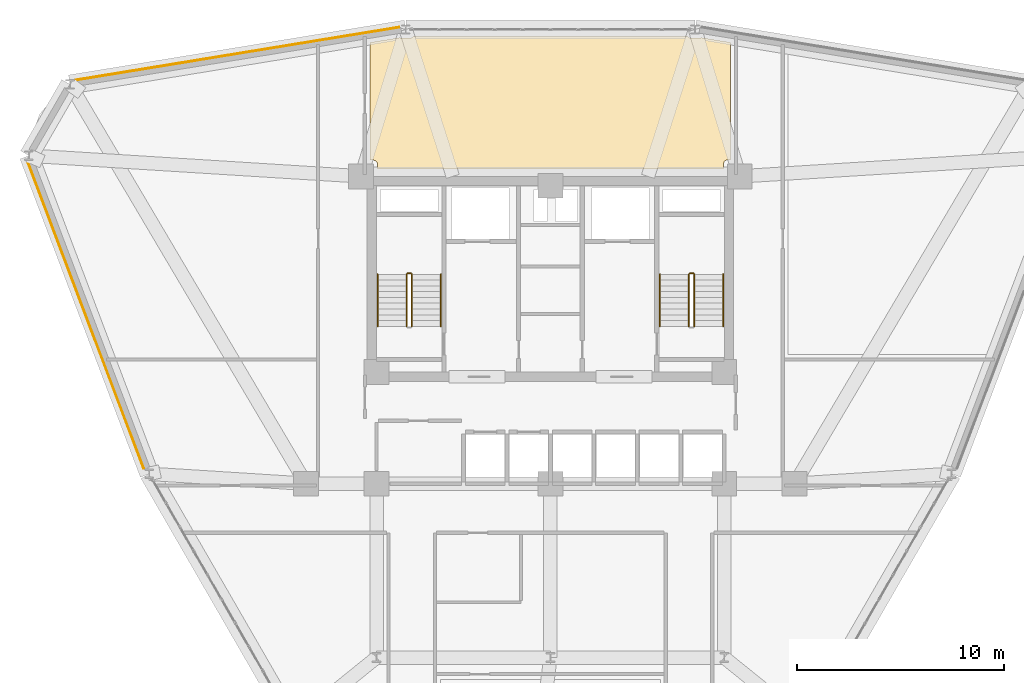
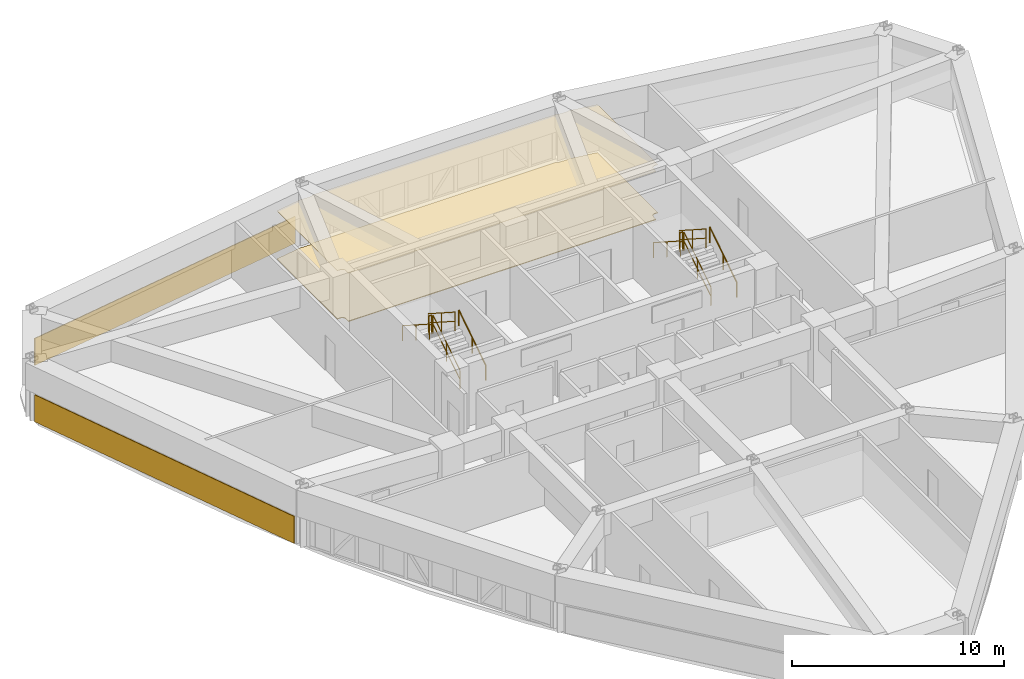
# One storey, part 14 of 15: 10 railings, 4 coverings.
"""IFC4 building model written with IfcOpenShell, lengths in metres."""

from ifc_helpers import new_model, si_unit, derived_unit, direction, frame, origin, origin_2d, place, context, subcontext, project, spatial, polyline, circle, outline, extrude, material, layer, layer_set, type_object, element, save


model = new_model("IFC4")

# Units and contexts
model_context = context("Model", 3, precision=1e-05, world=origin(), true_north=direction((0.0, 1.0)))
body_context = subcontext(model_context, "Body", "Model", "MODEL_VIEW")
ifc_project = project(units=[si_unit("LENGTHUNIT", "METRE"), si_unit("AREAUNIT", "SQUARE_METRE"), si_unit("VOLUMEUNIT", "CUBIC_METRE"), si_unit("PLANEANGLEUNIT", "RADIAN"), si_unit("MASSUNIT", "GRAM", prefix="KILO"), derived_unit("THERMALTRANSMITTANCEUNIT", [(si_unit("POWERUNIT", "WATT"), 1), (si_unit("LENGTHUNIT", "METRE"), -2), (si_unit("THERMODYNAMICTEMPERATUREUNIT", "KELVIN"), -1)])], contexts=[model_context])

# Site, building, storey
site_placement = place(None, origin())
site = spatial("IfcSite", under=ifc_project, at=site_placement, CompositionType="ELEMENT")
building_placement = place(site_placement, origin())
building = spatial("IfcBuilding", under=site, at=building_placement, Name="Korsvarv Bourse and Concert Hall", CompositionType="ELEMENT")
storey_placement = place(building_placement, frame((0.0, 0.0, 117.0)))
storey = spatial("IfcBuildingStorey", under=building, at=storey_placement, Name="L29", CompositionType="ELEMENT", Elevation=117.0)

# Coverings
ifc_material_1 = material(Name="Perforated mineral-wool and birch acoustic baffle ceiling", Category="wood")
ifc_layer_1 = layer(ifc_material_1, 0.02490234375)
ifc_layer_set_1 = layer_set([ifc_layer_1], Name="Perforated mineral-wool and birch acoustic baffle ceiling")
covering_type_1 = type_object("IfcCoveringType", Name="COV-CEIL-1", PredefinedType="CEILING", material=ifc_layer_set_1)
covering_1_placement = place(storey_placement, frame((0.0, 0.0, 2.780029296875)))
element("IfcCovering", 1, at=covering_1_placement, inside=storey, type_object=covering_type_1, Name="L29 acoustic baffle ceiling 3", PredefinedType="CEILING", context=body_context, shape_type="SweptSolid", body=[
    extrude(outline(polyline([(28.720458984375, 53.952392578125), (28.75439453125, 53.94140625), (28.788818359375, 53.93701171875), (29.216796875, 53.927001953125), (29.251708984375, 53.9296875), (29.28564453125, 53.939208984375), (29.317138671875, 53.954833984375), (29.3447265625, 53.976318359375), (29.367919921875, 54.0029296875), (42.62841796875, 54.004638671875), (42.653076171875, 53.9794921875), (42.681640625, 53.959716796875), (42.71337890625, 53.94580078125), (42.747314453125, 53.9384765625), (43.19287109375, 53.927001953125), (43.227294921875, 53.9296875), (43.2607421875, 53.938720703125), (43.28662109375, 53.951416015625), (44.7099609375, 53.71875), (44.7099609375, 48.0400390625), (44.550048828125, 48.0400390625), (44.515380859375, 48.03662109375), (44.482177734375, 48.026611328125), (44.451416015625, 48.010498046875), (44.42431640625, 47.98876953125), (44.40185546875, 47.962158203125), (44.385009765625, 47.931640625), (44.374267578125, 47.898681640625), (44.3701171875, 47.864013671875), (44.364013671875, 47.60009765625), (27.639892578125, 47.60009765625), (27.639892578125, 47.85009765625), (27.63671875, 47.884521484375), (27.626708984375, 47.917724609375), (27.610595703125, 47.948486328125), (27.589111328125, 47.975341796875), (27.562744140625, 47.997802734375), (27.532470703125, 48.014892578125), (27.49951171875, 48.025634765625), (27.465087890625, 48.02978515625), (27.2900390625, 48.034912109375), (27.2900390625, 53.71875), (28.720458984375, 53.952392578125)])), origin(), (0.0, 0.0, 1.0), 0.02490234375),
])
ifc_material_2 = material(Name="Warm iron-oxide extruded terracotta rainscreen tile", Category="ceramic")
ifc_layer_2 = layer(ifc_material_2, 0.044921875)
ifc_layer_set_2 = layer_set([ifc_layer_2], Name="Warm iron-oxide extruded terracotta rainscreen tile")
covering_type_2 = type_object("IfcCoveringType", Name="COV-CLD-TC", PredefinedType="CLADDING", material=ifc_layer_set_2)
covering_2_placement = place(storey_placement, origin())
element("IfcCovering", 2, at=covering_2_placement, inside=storey, type_object=covering_type_2, Name="L29 fluted terracotta cladding panel EW-L29-B04", PredefinedType="CLADDING", context=body_context, shape_type="SweptSolid", body=[
    extrude(outline(polyline([(28.697265625, 54.429931640625), (13.063720703125, 51.874755859375), (13.056396484375, 51.919189453125), (28.68994140625, 54.474365234375), (28.697265625, 54.429931640625)])), origin(), (0.0, 0.0, 1.0), 1.550048828125),
])
covering_3_placement = place(storey_placement, origin())
element("IfcCovering", 3, at=covering_3_placement, inside=storey, type_object=covering_type_2, Name="L29 fluted terracotta cladding panel EW-L29-B06", PredefinedType="CLADDING", context=body_context, shape_type="SweptSolid", body=[
    extrude(outline(polyline([(10.794921875, 47.896240234375), (16.376708984375, 33.13916015625), (16.33447265625, 33.123046875), (10.7529296875, 47.88037109375), (10.794921875, 47.896240234375)])), origin(), (0.0, 0.0, 1.0), 1.550048828125),
])
ifc_material_3 = material(Name="Calcium-sulphate raised access trading floor with Nordic oak top", Category="wood")
ifc_layer_3 = layer(ifc_material_3, 0.0400390625)
ifc_layer_set_3 = layer_set([ifc_layer_3], Name="Calcium-sulphate raised access trading floor with Nordic oak top")
covering_type_3 = type_object("IfcCoveringType", Name="COV-FLOR-1", PredefinedType="FLOORING", material=ifc_layer_set_3)
covering_4_placement = place(storey_placement, origin())
element("IfcCovering", 4, at=covering_4_placement, inside=storey, type_object=covering_type_3, Name="L29 raised access oak floor finish 3", PredefinedType="FLOORING", context=body_context, shape_type="SweptSolid", body=[
    extrude(outline(polyline([(28.720458984375, 53.952392578125), (28.75439453125, 53.94140625), (28.788818359375, 53.93701171875), (29.216796875, 53.927001953125), (29.251708984375, 53.9296875), (29.28564453125, 53.939208984375), (29.317138671875, 53.954833984375), (29.3447265625, 53.976318359375), (29.367919921875, 54.0029296875), (42.62841796875, 54.004638671875), (42.653076171875, 53.9794921875), (42.681640625, 53.959716796875), (42.71337890625, 53.94580078125), (42.747314453125, 53.9384765625), (43.19287109375, 53.927001953125), (43.227294921875, 53.9296875), (43.2607421875, 53.938720703125), (43.28662109375, 53.951416015625), (44.7099609375, 53.71875), (44.7099609375, 48.0400390625), (44.550048828125, 48.0400390625), (44.515380859375, 48.03662109375), (44.482177734375, 48.026611328125), (44.451416015625, 48.010498046875), (44.42431640625, 47.98876953125), (44.40185546875, 47.962158203125), (44.385009765625, 47.931640625), (44.374267578125, 47.898681640625), (44.3701171875, 47.864013671875), (44.364013671875, 47.60009765625), (27.639892578125, 47.60009765625), (27.639892578125, 47.85009765625), (27.63671875, 47.884521484375), (27.626708984375, 47.917724609375), (27.610595703125, 47.948486328125), (27.589111328125, 47.975341796875), (27.562744140625, 47.997802734375), (27.532470703125, 48.014892578125), (27.49951171875, 48.025634765625), (27.465087890625, 48.02978515625), (27.2900390625, 48.034912109375), (27.2900390625, 53.71875), (28.720458984375, 53.952392578125)])), origin(), (0.0, 0.0, 1.0), 0.0400390625),
])

# Railings
ifc_material_4 = material(Name="Painted Steel S355 stair well guardrail", Category="steel")
railing_type_1 = type_object("IfcRailingType", Name="RL-ST-GRD", PredefinedType="GUARDRAIL", material=ifc_material_4)
railing_1_placement = place(storey_placement, frame((29.31005859375, 40.0, 0.179931640625)))
element("IfcRailing", 5, at=railing_1_placement, inside=storey, type_object=railing_type_1, Name="L29 ST-T1 stair guard 1", PredefinedType="GUARDRAIL", context=body_context, shape_type="SweptSolid", body=[
    extrude(circle(Radius=0.02392578125, at=origin_2d()), frame((0.0, 0.0, 1.076171875), z_axis=(0.0, 0.841162588446, 0.540782303519), x_axis=(-1.0, 0.0, 0.0)), (0.0, 0.0, 1.0), 2.995849609375),
    extrude(circle(Radius=0.02392578125, at=origin_2d()), frame((0.0, 0.0, 0.550048828125), z_axis=(0.0, 0.841162588446, 0.540782303519), x_axis=(-1.0, 0.0, 0.0)), (0.0, 0.0, 1.0), 2.995849609375),
    extrude(circle(Radius=0.02099609375, at=origin_2d()), origin(), (0.0, 0.0, 1.0), 1.052001953125),
    extrude(circle(Radius=0.02099609375, at=origin_2d()), frame((0.0, 1.260009765625, 0.81005859375)), (0.0, 0.0, 1.0), 1.052001953125),
    extrude(circle(Radius=0.02099609375, at=origin_2d()), frame((0.0, 2.52001953125, 1.6201171875)), (0.0, 0.0, 1.0), 1.052001953125),
])
railing_2_placement = place(storey_placement, frame((29.260009765625, 42.570068359375, 1.800048828125)))
element("IfcRailing", 6, at=railing_2_placement, inside=storey, type_object=railing_type_1, Name="L29 ST-T1 stair guard 2", PredefinedType="GUARDRAIL", context=body_context, shape_type="SweptSolid", body=[
    extrude(circle(Radius=0.02392578125, at=origin_2d()), frame((0.0, 0.0, 1.076171875), z_axis=(-1.0, 0.0, 0.0), x_axis=(0.0, -1.0, 0.0)), (0.0, 0.0, 1.0), 0.159912109375),
    extrude(circle(Radius=0.02392578125, at=origin_2d()), frame((0.0, 0.0, 0.550048828125), z_axis=(-1.0, 0.0, 0.0), x_axis=(0.0, -1.0, 0.0)), (0.0, 0.0, 1.0), 0.159912109375),
    extrude(circle(Radius=0.02099609375, at=origin_2d()), origin(), (0.0, 0.0, 1.0), 1.052001953125),
    extrude(circle(Radius=0.02099609375, at=origin_2d()), frame((-0.159912109375, 0.0, 0.0)), (0.0, 0.0, 1.0), 1.052001953125),
])
railing_3_placement = place(storey_placement, frame((29.050048828125, 42.52001953125, 1.97998046875)))
element("IfcRailing", 7, at=railing_3_placement, inside=storey, type_object=railing_type_1, Name="L29 ST-T1 stair guard 3", PredefinedType="GUARDRAIL", context=body_context, shape_type="SweptSolid", body=[
    extrude(circle(Radius=0.02392578125, at=origin_2d()), frame((0.0, 0.0, 1.076171875), z_axis=(0.0, -0.841162588446, 0.540782303519), x_axis=(1.0, 0.0, 0.0)), (0.0, 0.0, 1.0), 2.995849609375),
    extrude(circle(Radius=0.02392578125, at=origin_2d()), frame((0.0, 0.0, 0.550048828125), z_axis=(0.0, -0.841162588446, 0.540782303519), x_axis=(1.0, 0.0, 0.0)), (0.0, 0.0, 1.0), 2.995849609375),
    extrude(circle(Radius=0.02099609375, at=origin_2d()), origin(), (0.0, 0.0, 1.0), 1.052001953125),
    extrude(circle(Radius=0.02099609375, at=origin_2d()), frame((0.0, -1.260009765625, 0.81005859375)), (0.0, 0.0, 1.0), 1.052001953125),
    extrude(circle(Radius=0.02099609375, at=origin_2d()), frame((0.0, -2.52001953125, 1.6201171875)), (0.0, 0.0, 1.0), 1.052001953125),
])
railing_4_placement = place(storey_placement, frame((42.949951171875, 40.0, 0.179931640625)))
element("IfcRailing", 8, at=railing_4_placement, inside=storey, type_object=railing_type_1, Name="L29 ST-T2 stair guard 1", PredefinedType="GUARDRAIL", context=body_context, shape_type="SweptSolid", body=[
    extrude(circle(Radius=0.02392578125, at=origin_2d()), frame((0.0, 0.0, 1.076171875), z_axis=(0.0, 0.841162588446, 0.540782303519), x_axis=(-1.0, 0.0, 0.0)), (0.0, 0.0, 1.0), 2.995849609375),
    extrude(circle(Radius=0.02392578125, at=origin_2d()), frame((0.0, 0.0, 0.550048828125), z_axis=(0.0, 0.841162588446, 0.540782303519), x_axis=(-1.0, 0.0, 0.0)), (0.0, 0.0, 1.0), 2.995849609375),
    extrude(circle(Radius=0.02099609375, at=origin_2d()), origin(), (0.0, 0.0, 1.0), 1.052001953125),
    extrude(circle(Radius=0.02099609375, at=origin_2d()), frame((0.0, 1.260009765625, 0.81005859375)), (0.0, 0.0, 1.0), 1.052001953125),
    extrude(circle(Radius=0.02099609375, at=origin_2d()), frame((0.0, 2.52001953125, 1.6201171875)), (0.0, 0.0, 1.0), 1.052001953125),
])
railing_5_placement = place(storey_placement, frame((42.89990234375, 42.570068359375, 1.800048828125)))
element("IfcRailing", 9, at=railing_5_placement, inside=storey, type_object=railing_type_1, Name="L29 ST-T2 stair guard 2", PredefinedType="GUARDRAIL", context=body_context, shape_type="SweptSolid", body=[
    extrude(circle(Radius=0.02392578125, at=origin_2d()), frame((0.0, 0.0, 1.076171875), z_axis=(-1.0, 0.0, 0.0), x_axis=(0.0, -1.0, 0.0)), (0.0, 0.0, 1.0), 0.159912109375),
    extrude(circle(Radius=0.02392578125, at=origin_2d()), frame((0.0, 0.0, 0.550048828125), z_axis=(-1.0, 0.0, 0.0), x_axis=(0.0, -1.0, 0.0)), (0.0, 0.0, 1.0), 0.159912109375),
    extrude(circle(Radius=0.02099609375, at=origin_2d()), origin(), (0.0, 0.0, 1.0), 1.052001953125),
    extrude(circle(Radius=0.02099609375, at=origin_2d()), frame((-0.159912109375, 0.0, 0.0)), (0.0, 0.0, 1.0), 1.052001953125),
])
railing_6_placement = place(storey_placement, frame((42.68994140625, 42.52001953125, 1.97998046875)))
element("IfcRailing", 10, at=railing_6_placement, inside=storey, type_object=railing_type_1, Name="L29 ST-T2 stair guard 3", PredefinedType="GUARDRAIL", context=body_context, shape_type="SweptSolid", body=[
    extrude(circle(Radius=0.02392578125, at=origin_2d()), frame((0.0, 0.0, 1.076171875), z_axis=(0.0, -0.841162588446, 0.540782303519), x_axis=(1.0, 0.0, 0.0)), (0.0, 0.0, 1.0), 2.995849609375),
    extrude(circle(Radius=0.02392578125, at=origin_2d()), frame((0.0, 0.0, 0.550048828125), z_axis=(0.0, -0.841162588446, 0.540782303519), x_axis=(1.0, 0.0, 0.0)), (0.0, 0.0, 1.0), 2.995849609375),
    extrude(circle(Radius=0.02099609375, at=origin_2d()), origin(), (0.0, 0.0, 1.0), 1.052001953125),
    extrude(circle(Radius=0.02099609375, at=origin_2d()), frame((0.0, -1.260009765625, 0.81005859375)), (0.0, 0.0, 1.0), 1.052001953125),
    extrude(circle(Radius=0.02099609375, at=origin_2d()), frame((0.0, -2.52001953125, 1.6201171875)), (0.0, 0.0, 1.0), 1.052001953125),
])
ifc_material_5 = material(Name="Brushed stainless Steel S355 tubular handrail", Category="steel")
railing_type_2 = type_object("IfcRailingType", Name="RL-ST-HND", PredefinedType="HANDRAIL", material=ifc_material_5)
railing_7_placement = place(storey_placement, frame((30.7099609375, 40.0, 0.179931640625)))
element("IfcRailing", 11, at=railing_7_placement, inside=storey, type_object=railing_type_2, Name="L29 ST-T1 stair handrail 1", PredefinedType="HANDRAIL", context=body_context, shape_type="SweptSolid", body=[
    extrude(circle(Radius=0.02392578125, at=origin_2d()), frame((0.0, 0.0, 0.8759765625), z_axis=(0.0, 0.841162588446, 0.540782303519), x_axis=(-1.0, 0.0, 0.0)), (0.0, 0.0, 1.0), 2.995849609375),
    extrude(circle(Radius=0.02099609375, at=origin_2d()), origin(), (0.0, 0.0, 1.0), 0.851806640625),
    extrude(circle(Radius=0.02099609375, at=origin_2d()), frame((0.0, 1.260009765625, 0.81005859375)), (0.0, 0.0, 1.0), 0.851806640625),
    extrude(circle(Radius=0.02099609375, at=origin_2d()), frame((0.0, 2.52001953125, 1.6201171875)), (0.0, 0.0, 1.0), 0.851806640625),
])
railing_8_placement = place(storey_placement, frame((27.64990234375, 42.52001953125, 1.97998046875)))
element("IfcRailing", 12, at=railing_8_placement, inside=storey, type_object=railing_type_2, Name="L29 ST-T1 stair handrail 2", PredefinedType="HANDRAIL", context=body_context, shape_type="SweptSolid", body=[
    extrude(circle(Radius=0.02392578125, at=origin_2d()), frame((0.0, 0.0, 0.8759765625), z_axis=(0.0, -0.841162588446, 0.540782303519), x_axis=(1.0, 0.0, 0.0)), (0.0, 0.0, 1.0), 2.995849609375),
    extrude(circle(Radius=0.02099609375, at=origin_2d()), origin(), (0.0, 0.0, 1.0), 0.851806640625),
    extrude(circle(Radius=0.02099609375, at=origin_2d()), frame((0.0, -1.260009765625, 0.81005859375)), (0.0, 0.0, 1.0), 0.851806640625),
    extrude(circle(Radius=0.02099609375, at=origin_2d()), frame((0.0, -2.52001953125, 1.6201171875)), (0.0, 0.0, 1.0), 0.851806640625),
])
railing_9_placement = place(storey_placement, frame((44.35009765625, 40.0, 0.179931640625)))
element("IfcRailing", 13, at=railing_9_placement, inside=storey, type_object=railing_type_2, Name="L29 ST-T2 stair handrail 1", PredefinedType="HANDRAIL", context=body_context, shape_type="SweptSolid", body=[
    extrude(circle(Radius=0.02392578125, at=origin_2d()), frame((0.0, 0.0, 0.8759765625), z_axis=(0.0, 0.841162588446, 0.540782303519), x_axis=(-1.0, 0.0, 0.0)), (0.0, 0.0, 1.0), 2.995849609375),
    extrude(circle(Radius=0.02099609375, at=origin_2d()), origin(), (0.0, 0.0, 1.0), 0.851806640625),
    extrude(circle(Radius=0.02099609375, at=origin_2d()), frame((0.0, 1.260009765625, 0.81005859375)), (0.0, 0.0, 1.0), 0.851806640625),
    extrude(circle(Radius=0.02099609375, at=origin_2d()), frame((0.0, 2.52001953125, 1.6201171875)), (0.0, 0.0, 1.0), 0.851806640625),
])
railing_10_placement = place(storey_placement, frame((41.2900390625, 42.52001953125, 1.97998046875)))
element("IfcRailing", 14, at=railing_10_placement, inside=storey, type_object=railing_type_2, Name="L29 ST-T2 stair handrail 2", PredefinedType="HANDRAIL", context=body_context, shape_type="SweptSolid", body=[
    extrude(circle(Radius=0.02392578125, at=origin_2d()), frame((0.0, 0.0, 0.8759765625), z_axis=(0.0, -0.841162588446, 0.540782303519), x_axis=(1.0, 0.0, 0.0)), (0.0, 0.0, 1.0), 2.995849609375),
    extrude(circle(Radius=0.02099609375, at=origin_2d()), origin(), (0.0, 0.0, 1.0), 0.851806640625),
    extrude(circle(Radius=0.02099609375, at=origin_2d()), frame((0.0, -1.260009765625, 0.81005859375)), (0.0, 0.0, 1.0), 0.851806640625),
    extrude(circle(Radius=0.02099609375, at=origin_2d()), frame((0.0, -2.52001953125, 1.6201171875)), (0.0, 0.0, 1.0), 0.851806640625),
])

save(model, "model.ifc")
